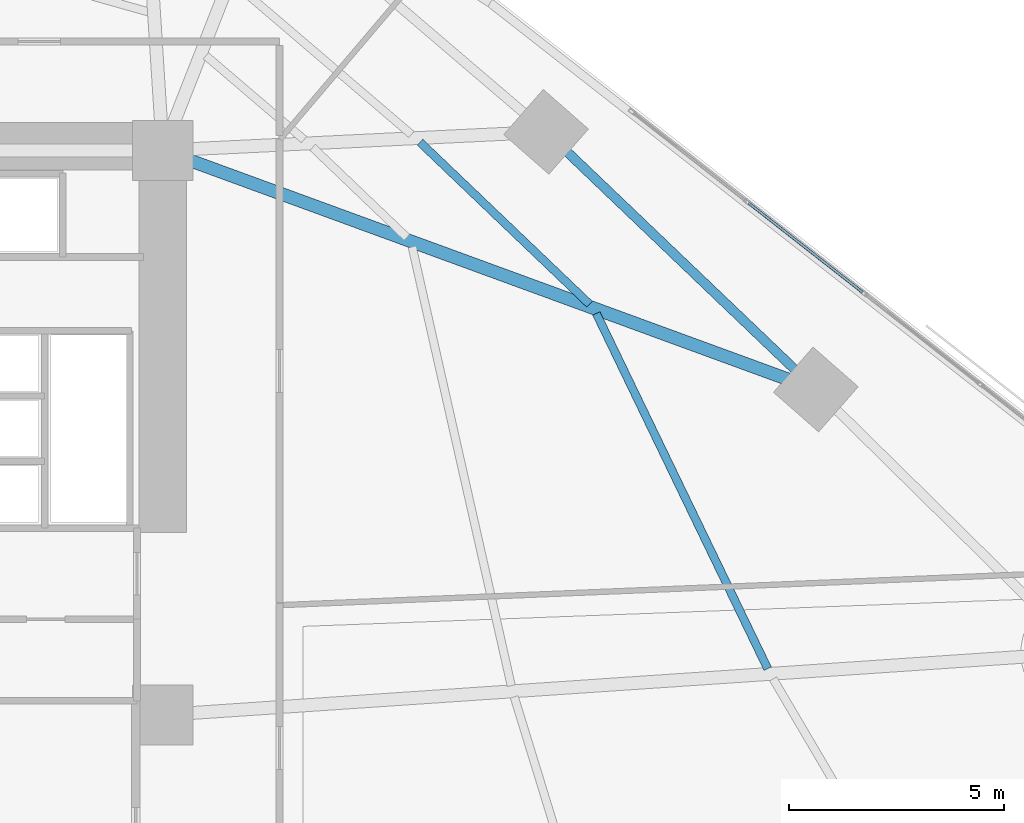
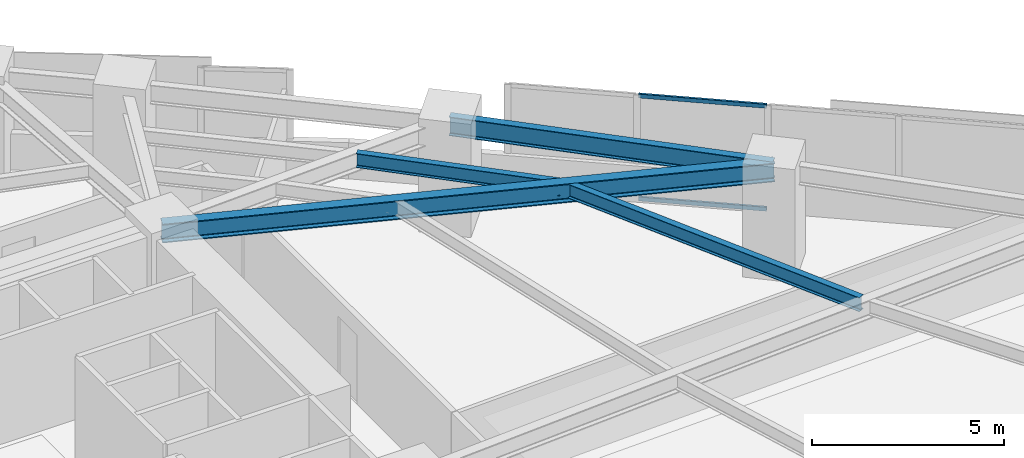
# One storey, part 6 of 16: 4 beams, 2 members, 1 element without a shape of its own.
"""IFC4 building model written with IfcOpenShell, lengths in metres."""

from ifc_helpers import new_model, si_unit, direction, frame, origin, origin_2d, place, context, subcontext, project, spatial, hollow_rectangle, i_section, extrude, material, material_profile, profile_set, type_object, element, aggregate, save


model = new_model("IFC4")

# Units and contexts
model_context = context("Model", 3, precision=1e-05, world=origin(), true_north=direction((0.0, 1.0)))
body_context = subcontext(model_context, "Body", "Model", "MODEL_VIEW")
ifc_project = project(units=[si_unit("LENGTHUNIT", "METRE"), si_unit("AREAUNIT", "SQUARE_METRE"), si_unit("VOLUMEUNIT", "CUBIC_METRE"), si_unit("PLANEANGLEUNIT", "RADIAN"), si_unit("MASSUNIT", "GRAM", prefix="KILO")], contexts=[model_context])

# Site, building, storey
site_placement = place(None, origin())
site = spatial("IfcSite", under=ifc_project, at=site_placement, CompositionType="ELEMENT")
building_placement = place(site_placement, origin())
building = spatial("IfcBuilding", under=site, at=building_placement, Name="Narakoshi Arena Tower", CompositionType="ELEMENT")
storey_placement = place(building_placement, frame((0.0, 0.0, 81.300048828125)))
storey = spatial("IfcBuildingStorey", under=building, at=storey_placement, Name="L21", CompositionType="ELEMENT", Elevation=81.300048828125)

# Beams
ifc_material_1 = material(Name="Structural steel S355J2", Category="steel")
ifc_material_profile_1 = material_profile(ifc_material_1, i_section(OverallWidth=0.219970703125, OverallDepth=0.60009765625, WebThickness=0.011962890625, FlangeThickness=0.01904296875, FilletRadius=0.02392578125, at=origin_2d()), Name="IPE600")
ifc_profile_set_1 = profile_set([ifc_material_profile_1], Name="Structural steel S355J2")
beam_type_1 = type_object("IfcBeamType", Name="BM-EDGE-600", PredefinedType="BEAM", material=ifc_profile_set_1)
beam_1_placement = place(storey_placement, frame((100.76318359375, 50.931640625, 3.0400390625), z_axis=(-0.723088904438, 0.690754975572, 0.0), x_axis=(-0.690754975572, -0.723088904438, 0.0)))
element("IfcBeam", 1, at=beam_1_placement, inside=storey, type_object=beam_type_1, Name="L21 Perimeter Edge Girder 07", PredefinedType="BEAM", context=body_context, shape_type="SweptSolid", body=[
    extrude(i_section(OverallWidth=0.219970703125, OverallDepth=0.60009765625, WebThickness=0.011962890625, FlangeThickness=0.01904296875, FilletRadius=0.02392578125, at=origin_2d()), origin(), (0.0, 0.0, 1.0), 8.690673828125),
])
ifc_material_profile_2 = material_profile(ifc_material_1, i_section(OverallWidth=0.300048828125, OverallDepth=0.60009765625, WebThickness=0.015380859375, FlangeThickness=0.030029296875, FilletRadius=0.027099609375, at=origin_2d()), Name="HE600B")
ifc_profile_set_2 = profile_set([ifc_material_profile_2], Name="Structural steel S355J2")
beam_type_2 = type_object("IfcBeamType", Name="BM-PRI-600", PredefinedType="BEAM", material=ifc_profile_set_2)
beam_2_placement = place(storey_placement, frame((85.550048828125, 56.5, 3.0400390625), z_axis=(0.939071487396, -0.343721895664, 0.0), x_axis=(0.343721895664, 0.939071487396, 0.0)))
element("IfcBeam", 2, at=beam_2_placement, inside=storey, type_object=beam_type_2, Name="L21 Radial Primary Floor Girder 07", PredefinedType="BEAM", context=body_context, shape_type="SweptSolid", body=[
    extrude(i_section(OverallWidth=0.300048828125, OverallDepth=0.60009765625, WebThickness=0.015380859375, FlangeThickness=0.030029296875, FilletRadius=0.027099609375, at=origin_2d()), origin(), (0.0, 0.0, 1.0), 16.2001953125),
])
ifc_material_profile_3 = material_profile(ifc_material_1, i_section(OverallWidth=0.18994140625, OverallDepth=0.449951171875, WebThickness=0.009521484375, FlangeThickness=0.0146484375, FilletRadius=0.02099609375, at=origin_2d()), Name="IPE450")
ifc_profile_set_3 = profile_set([ifc_material_profile_3], Name="Structural steel S355J2")
beam_type_3 = type_object("IfcBeamType", Name="BM-SEC-450", PredefinedType="JOIST", material=ifc_profile_set_3)
beam_3_placement = place(storey_placement, frame((99.6416015625, 44.428955078125, 3.114990234375), z_axis=(-0.434540970974, 0.900652066308, 0.0), x_axis=(-0.900652066308, -0.434540970974, 0.0)))
element("IfcBeam", 3, at=beam_3_placement, inside=storey, type_object=beam_type_3, Name="L21 Composite Secondary Floor Joist 04", PredefinedType="JOIST", context=body_context, shape_type="SweptSolid", body=[
    extrude(i_section(OverallWidth=0.18994140625, OverallDepth=0.449951171875, WebThickness=0.009521484375, FlangeThickness=0.0146484375, FilletRadius=0.02099609375, at=origin_2d()), origin(), (0.0, 0.0, 1.0), 9.187255859375),
])
beam_4_placement = place(storey_placement, frame((95.4931640625, 52.918212890625, 3.114990234375), z_axis=(-0.723113139165, 0.690729605538, 0.0), x_axis=(-0.690729605538, -0.723113139165, 0.0)))
element("IfcBeam", 4, at=beam_4_placement, inside=storey, type_object=beam_type_3, Name="L21 Composite Secondary Floor Joist 06", PredefinedType="JOIST", context=body_context, shape_type="SweptSolid", body=[
    extrude(i_section(OverallWidth=0.18994140625, OverallDepth=0.449951171875, WebThickness=0.009521484375, FlangeThickness=0.0146484375, FilletRadius=0.02099609375, at=origin_2d()), origin(), (0.0, 0.0, 1.0), 5.4658203125),
])

# Curtain wall, members
ifc_material_2 = material(Name="Anodised bronze aluminium 6063-T6", Category="aluminium")
curtain_wall_type = type_object("IfcCurtainWallType", Name="CW-HYP-LOW", PredefinedType="NOTDEFINED", material=ifc_material_2)
curtain_wall_placement = place(storey_placement, origin())
curtain_wall = element("IfcCurtainWall", 5, at=curtain_wall_placement, inside=storey, type_object=curtain_wall_type, Name="L21 Folded Hypotenuse Curtain Wall 1-1", PredefinedType="NOTDEFINED")
ifc_material_profile_4 = material_profile(ifc_material_2, hollow_rectangle(XDim=0.06494140625, YDim=0.1298828125, WallThickness=0.00390625, OuterFilletRadius=0.0048828125, at=origin_2d()), Name="TRN130x65x4")
ifc_profile_set_4 = profile_set([ifc_material_profile_4], Name="Anodised bronze aluminium 6063-T6")
member_type = type_object("IfcMemberType", Name="MEM-TRN-130", PredefinedType="USERDEFINED", material=ifc_profile_set_4)
member_1_placement = place(storey_placement, frame((101.851806640625, 53.196533203125, 0.032470703125), z_axis=(-0.787400998112, 0.616441131149, 0.0), x_axis=(-0.616441131149, -0.787400998112, 0.0)))
member_1 = element("IfcMember", 6, at=member_1_placement, type_object=member_type, Name="CW-01 transom 8.1", ObjectType="TRANSOM", PredefinedType="USERDEFINED", context=body_context, shape_type="SweptSolid", body=[
    extrude(hollow_rectangle(XDim=0.06494140625, YDim=0.1298828125, WallThickness=0.00390625, OuterFilletRadius=0.0048828125, at=origin_2d()), origin(), (0.0, 0.0, 1.0), 3.368896484375),
])
member_2_placement = place(storey_placement, frame((101.851806640625, 53.196533203125, 3.307373046875), z_axis=(-0.787400998112, 0.616441131149, 0.0), x_axis=(-0.616441131149, -0.787400998112, 0.0)))
member_2 = element("IfcMember", 7, at=member_2_placement, type_object=member_type, Name="CW-01 transom 8.2", ObjectType="TRANSOM", PredefinedType="USERDEFINED", context=body_context, shape_type="SweptSolid", body=[
    extrude(hollow_rectangle(XDim=0.06494140625, YDim=0.1298828125, WallThickness=0.00390625, OuterFilletRadius=0.0048828125, at=origin_2d()), origin(), (0.0, 0.0, 1.0), 3.368896484375),
])
aggregate(curtain_wall, [member_1, member_2])

save(model, "model.ifc")
